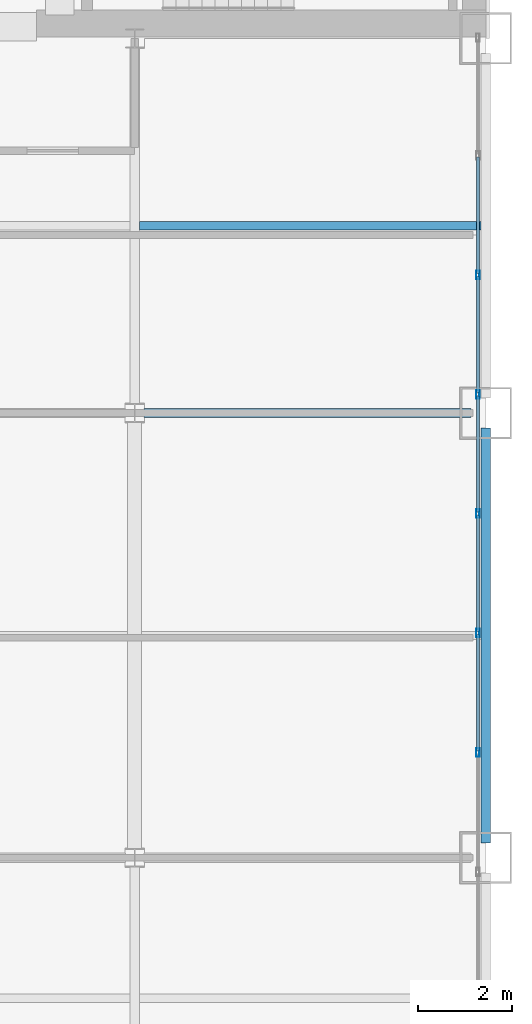
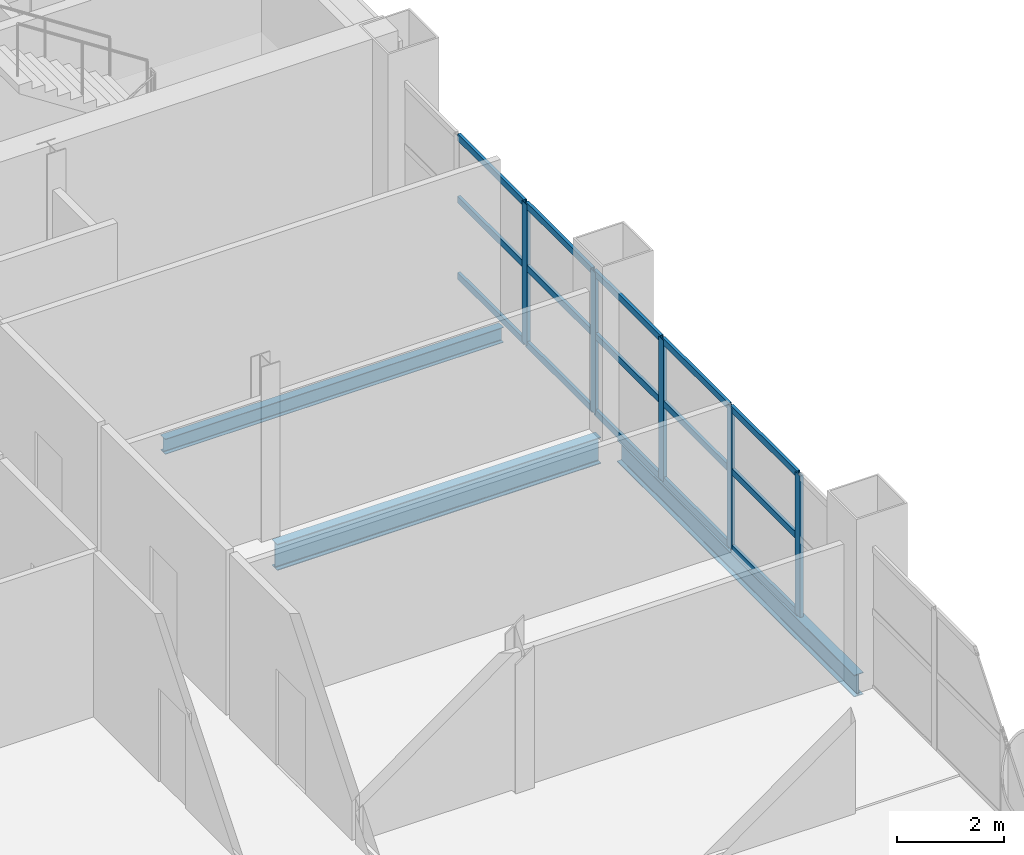
# One storey, part 7 of 16: 20 members, 3 beams, 1 element without a shape of its own.
"""IFC4 building model written with IfcOpenShell, lengths in metres."""

from ifc_helpers import new_model, si_unit, direction, frame, origin, origin_2d, place, context, subcontext, project, spatial, hollow_rectangle, i_section, extrude, material, layer, layer_set, material_profile, profile_set, type_object, element, aggregate, save


model = new_model("IFC4")

# Units and contexts
model_context = context("Model", 3, precision=1e-05, world=origin(), true_north=direction((0.0, 1.0)))
body_context = subcontext(model_context, "Body", "Model", "MODEL_VIEW")
ifc_project = project(units=[si_unit("LENGTHUNIT", "METRE"), si_unit("AREAUNIT", "SQUARE_METRE"), si_unit("VOLUMEUNIT", "CUBIC_METRE"), si_unit("PLANEANGLEUNIT", "RADIAN"), si_unit("MASSUNIT", "GRAM", prefix="KILO")], contexts=[model_context])

# Site, building, storey
site_placement = place(None, origin())
site = spatial("IfcSite", under=ifc_project, at=site_placement, CompositionType="ELEMENT")
building_placement = place(site_placement, origin())
building = spatial("IfcBuilding", under=site, at=building_placement, Name="Qianrong Seaharbour Tower", CompositionType="ELEMENT")
storey_placement = place(building_placement, frame((0.0, 0.0, 127.0)))
storey = spatial("IfcBuildingStorey", under=building, at=storey_placement, Name="L30", CompositionType="ELEMENT", Elevation=127.0)

# Beams
ifc_material_1 = material(Name="Structural steel SN490B", Category="steel")
ifc_material_profile_1 = material_profile(ifc_material_1, i_section(OverallWidth=0.199951171875, OverallDepth=0.60009765625, WebThickness=0.010986328125, FlangeThickness=0.01708984375, FilletRadius=0.02197265625, at=origin_2d()), Name="H600x200x11x17")
ifc_profile_set_1 = profile_set([ifc_material_profile_1], Name="Structural steel SN490B")
beam_type_1 = type_object("IfcBeamType", Name="BM-G-600", PredefinedType="BEAM", material=ifc_profile_set_1)
beam_1_placement = place(storey_placement, frame((56.699951171875, 28.0, -0.534912109375), z_axis=(1.0, 0.0, 0.0), x_axis=(0.0, 1.0, 0.0)))
element("IfcBeam", 1, at=beam_1_placement, inside=storey, type_object=beam_type_1, Name="L30 Primary Girder GE G8-G9", PredefinedType="BEAM", context=body_context, shape_type="SweptSolid", body=[
    extrude(i_section(OverallWidth=0.199951171875, OverallDepth=0.60009765625, WebThickness=0.010986328125, FlangeThickness=0.01708984375, FilletRadius=0.02197265625, at=origin_2d()), origin(), (0.0, 0.0, 1.0), 6.97998046875),
])
ifc_material_2 = material(Name="Structural steel SN400B", Category="steel")
ifc_material_profile_2 = material_profile(ifc_material_2, i_section(OverallWidth=0.175048828125, OverallDepth=0.35009765625, WebThickness=0.007080078125, FlangeThickness=0.010986328125, FilletRadius=0.013916015625, at=origin_2d()), Name="H350x175x7x11")
ifc_profile_set_2 = profile_set([ifc_material_profile_2], Name="Structural steel SN400B")
beam_type_2 = type_object("IfcBeamType", Name="BM-J-350", PredefinedType="JOIST", material=ifc_profile_set_2)
beam_2_placement = place(storey_placement, frame((56.60009765625, 32.0, -0.409912109375), z_axis=(1.0, 0.0, 0.0), x_axis=(0.0, 1.0, 0.0)))
element("IfcBeam", 2, at=beam_2_placement, inside=storey, type_object=beam_type_2, Name="L30 Composite Floor Joist G8-G9/GE-GF", PredefinedType="JOIST", context=body_context, shape_type="SweptSolid", body=[
    extrude(i_section(OverallWidth=0.175048828125, OverallDepth=0.35009765625, WebThickness=0.007080078125, FlangeThickness=0.010986328125, FilletRadius=0.013916015625, at=origin_2d()), origin(), (0.0, 0.0, 1.0), 7.2998046875),
])
ifc_material_profile_3 = material_profile(ifc_material_1, i_section(OverallWidth=0.199951171875, OverallDepth=0.5, WebThickness=0.010009765625, FlangeThickness=0.01611328125, FilletRadius=0.02001953125, at=origin_2d()), Name="H500x200x10x16")
ifc_profile_set_3 = profile_set([ifc_material_profile_3], Name="Structural steel SN490B")
beam_type_3 = type_object("IfcBeamType", Name="BM-SP-500", PredefinedType="SPANDREL", material=ifc_profile_set_3)
beam_3_placement = place(storey_placement, frame((64.0, 18.820068359375, -0.485107421875), z_axis=(0.0, 1.0, 0.0), x_axis=(-1.0, 0.0, 0.0)))
element("IfcBeam", 3, at=beam_3_placement, inside=storey, type_object=beam_type_3, Name="L30 Spandrel Girder G9 GD-GE", PredefinedType="SPANDREL", context=body_context, shape_type="SweptSolid", body=[
    extrude(i_section(OverallWidth=0.199951171875, OverallDepth=0.5, WebThickness=0.010009765625, FlangeThickness=0.01611328125, FilletRadius=0.02001953125, at=origin_2d()), origin(), (0.0, 0.0, 1.0), 8.85986328125),
])

# Curtain wall, members
ifc_material_3 = material(Name="Anodised aluminium 6063-T6 and laminated low-e glass", Category="aluminium")
ifc_layer = layer(ifc_material_3, 0.195068359375)
ifc_layer_set = layer_set([ifc_layer], Name="Anodised aluminium 6063-T6 and laminated low-e glass")
curtain_wall_type = type_object("IfcCurtainWallType", Name="CW-SYS-3", PredefinedType="NOTDEFINED", material=ifc_layer_set)
curtain_wall_placement = place(storey_placement, origin())
curtain_wall = element("IfcCurtainWall", 4, at=curtain_wall_placement, inside=storey, type_object=curtain_wall_type, Name="L30 Sky-Garden Wintergarden Curtain Wall EAST_WING", PredefinedType="NOTDEFINED")
ifc_material_4 = material(Name="Extruded aluminium 6063-T6", Category="aluminium")
ifc_material_profile_4 = material_profile(ifc_material_4, hollow_rectangle(XDim=0.070068359375, YDim=0.179931640625, WallThickness=0.00390625, at=origin_2d()), Name="ALU-MUL-180x70x4")
ifc_profile_set_4 = profile_set([ifc_material_profile_4], Name="Extruded aluminium 6063-T6")
member_type_1 = type_object("IfcMemberType", Name="CW-MUL-180", PredefinedType="MULLION", material=ifc_profile_set_4)
member_1_placement = place(storey_placement, frame((63.830078125, 30.949951171875, 0.0), z_axis=(0.0, 0.0, 1.0), x_axis=(1.0, 0.0, 0.0)))
member_1 = element("IfcMember", 5, at=member_1_placement, type_object=member_type_1, Name="CW-3 mullion 3", PredefinedType="MULLION", context=body_context, shape_type="SweptSolid", body=[
    extrude(hollow_rectangle(XDim=0.070068359375, YDim=0.179931640625, WallThickness=0.00390625, at=origin_2d()), origin(), (0.0, 0.0, 1.0), 3.22509765625),
])
member_2_placement = place(storey_placement, frame((63.830078125, 28.39990234375, 0.0), z_axis=(0.0, 0.0, 1.0), x_axis=(1.0, 0.0, 0.0)))
member_2 = element("IfcMember", 6, at=member_2_placement, type_object=member_type_1, Name="CW-3 mullion 4", PredefinedType="MULLION", context=body_context, shape_type="SweptSolid", body=[
    extrude(hollow_rectangle(XDim=0.070068359375, YDim=0.179931640625, WallThickness=0.00390625, at=origin_2d()), origin(), (0.0, 0.0, 1.0), 3.22509765625),
])
member_3_placement = place(storey_placement, frame((63.830078125, 25.85009765625, 0.0), z_axis=(0.0, 0.0, 1.0), x_axis=(1.0, 0.0, 0.0)))
member_3 = element("IfcMember", 7, at=member_3_placement, type_object=member_type_1, Name="CW-3 mullion 5", PredefinedType="MULLION", context=body_context, shape_type="SweptSolid", body=[
    extrude(hollow_rectangle(XDim=0.070068359375, YDim=0.179931640625, WallThickness=0.00390625, at=origin_2d()), origin(), (0.0, 0.0, 1.0), 3.22509765625),
])
member_4_placement = place(storey_placement, frame((63.830078125, 23.300048828125, 0.0), z_axis=(0.0, 0.0, 1.0), x_axis=(1.0, 0.0, 0.0)))
member_4 = element("IfcMember", 8, at=member_4_placement, type_object=member_type_1, Name="CW-3 mullion 6", PredefinedType="MULLION", context=body_context, shape_type="SweptSolid", body=[
    extrude(hollow_rectangle(XDim=0.070068359375, YDim=0.179931640625, WallThickness=0.00390625, at=origin_2d()), origin(), (0.0, 0.0, 1.0), 3.22509765625),
])
member_5_placement = place(storey_placement, frame((63.830078125, 20.75, 0.0), z_axis=(0.0, 0.0, 1.0), x_axis=(1.0, 0.0, 0.0)))
member_5 = element("IfcMember", 9, at=member_5_placement, type_object=member_type_1, Name="CW-3 mullion 7", PredefinedType="MULLION", context=body_context, shape_type="SweptSolid", body=[
    extrude(hollow_rectangle(XDim=0.070068359375, YDim=0.179931640625, WallThickness=0.00390625, at=origin_2d()), origin(), (0.0, 0.0, 1.0), 3.22509765625),
])
ifc_material_profile_5 = material_profile(ifc_material_4, hollow_rectangle(XDim=0.06494140625, YDim=0.14990234375, WallThickness=0.00390625, at=origin_2d()), Name="ALU-TRN-150x65x4")
ifc_profile_set_5 = profile_set([ifc_material_profile_5], Name="Extruded aluminium 6063-T6")
member_type_2 = type_object("IfcMemberType", Name="CW-TRN-150", PredefinedType="USERDEFINED", material=ifc_profile_set_5)
member_6_placement = place(storey_placement, frame((63.830078125, 33.465087890625, 0.032470703125), z_axis=(0.0, -1.0, 0.0), x_axis=(1.0, 0.0, 0.0)))
member_6 = element("IfcMember", 10, at=member_6_placement, type_object=member_type_2, Name="CW-3 transom 2.1", ObjectType="TRANSOM", PredefinedType="USERDEFINED", context=body_context, shape_type="SweptSolid", body=[
    extrude(hollow_rectangle(XDim=0.06494140625, YDim=0.14990234375, WallThickness=0.00390625, at=origin_2d()), origin(), (0.0, 0.0, 1.0), 2.47998046875),
])
member_7_placement = place(storey_placement, frame((63.830078125, 33.465087890625, 1.773681640625), z_axis=(0.0, -1.0, 0.0), x_axis=(1.0, 0.0, 0.0)))
member_7 = element("IfcMember", 11, at=member_7_placement, type_object=member_type_2, Name="CW-3 transom 2.2", ObjectType="TRANSOM", PredefinedType="USERDEFINED", context=body_context, shape_type="SweptSolid", body=[
    extrude(hollow_rectangle(XDim=0.06494140625, YDim=0.14990234375, WallThickness=0.00390625, at=origin_2d()), origin(), (0.0, 0.0, 1.0), 2.47998046875),
])
member_8_placement = place(storey_placement, frame((63.830078125, 33.465087890625, 3.1923828125), z_axis=(0.0, -1.0, 0.0), x_axis=(1.0, 0.0, 0.0)))
member_8 = element("IfcMember", 12, at=member_8_placement, type_object=member_type_2, Name="CW-3 transom 2.3", ObjectType="TRANSOM", PredefinedType="USERDEFINED", context=body_context, shape_type="SweptSolid", body=[
    extrude(hollow_rectangle(XDim=0.06494140625, YDim=0.14990234375, WallThickness=0.00390625, at=origin_2d()), origin(), (0.0, 0.0, 1.0), 2.47998046875),
])
member_9_placement = place(storey_placement, frame((63.830078125, 30.9150390625, 0.032470703125), z_axis=(0.0, -1.0, 0.0), x_axis=(1.0, 0.0, 0.0)))
member_9 = element("IfcMember", 13, at=member_9_placement, type_object=member_type_2, Name="CW-3 transom 3.1", ObjectType="TRANSOM", PredefinedType="USERDEFINED", context=body_context, shape_type="SweptSolid", body=[
    extrude(hollow_rectangle(XDim=0.06494140625, YDim=0.14990234375, WallThickness=0.00390625, at=origin_2d()), origin(), (0.0, 0.0, 1.0), 2.47998046875),
])
member_10_placement = place(storey_placement, frame((63.830078125, 30.9150390625, 1.773681640625), z_axis=(0.0, -1.0, 0.0), x_axis=(1.0, 0.0, 0.0)))
member_10 = element("IfcMember", 14, at=member_10_placement, type_object=member_type_2, Name="CW-3 transom 3.2", ObjectType="TRANSOM", PredefinedType="USERDEFINED", context=body_context, shape_type="SweptSolid", body=[
    extrude(hollow_rectangle(XDim=0.06494140625, YDim=0.14990234375, WallThickness=0.00390625, at=origin_2d()), origin(), (0.0, 0.0, 1.0), 2.47998046875),
])
member_11_placement = place(storey_placement, frame((63.830078125, 30.9150390625, 3.1923828125), z_axis=(0.0, -1.0, 0.0), x_axis=(1.0, 0.0, 0.0)))
member_11 = element("IfcMember", 15, at=member_11_placement, type_object=member_type_2, Name="CW-3 transom 3.3", ObjectType="TRANSOM", PredefinedType="USERDEFINED", context=body_context, shape_type="SweptSolid", body=[
    extrude(hollow_rectangle(XDim=0.06494140625, YDim=0.14990234375, WallThickness=0.00390625, at=origin_2d()), origin(), (0.0, 0.0, 1.0), 2.47998046875),
])
member_12_placement = place(storey_placement, frame((63.830078125, 28.364990234375, 0.032470703125), z_axis=(0.0, -1.0, 0.0), x_axis=(1.0, 0.0, 0.0)))
member_12 = element("IfcMember", 16, at=member_12_placement, type_object=member_type_2, Name="CW-3 transom 4.1", ObjectType="TRANSOM", PredefinedType="USERDEFINED", context=body_context, shape_type="SweptSolid", body=[
    extrude(hollow_rectangle(XDim=0.06494140625, YDim=0.14990234375, WallThickness=0.00390625, at=origin_2d()), origin(), (0.0, 0.0, 1.0), 2.47998046875),
])
member_13_placement = place(storey_placement, frame((63.830078125, 28.364990234375, 1.773681640625), z_axis=(0.0, -1.0, 0.0), x_axis=(1.0, 0.0, 0.0)))
member_13 = element("IfcMember", 17, at=member_13_placement, type_object=member_type_2, Name="CW-3 transom 4.2", ObjectType="TRANSOM", PredefinedType="USERDEFINED", context=body_context, shape_type="SweptSolid", body=[
    extrude(hollow_rectangle(XDim=0.06494140625, YDim=0.14990234375, WallThickness=0.00390625, at=origin_2d()), origin(), (0.0, 0.0, 1.0), 2.47998046875),
])
member_14_placement = place(storey_placement, frame((63.830078125, 28.364990234375, 3.1923828125), z_axis=(0.0, -1.0, 0.0), x_axis=(1.0, 0.0, 0.0)))
member_14 = element("IfcMember", 18, at=member_14_placement, type_object=member_type_2, Name="CW-3 transom 4.3", ObjectType="TRANSOM", PredefinedType="USERDEFINED", context=body_context, shape_type="SweptSolid", body=[
    extrude(hollow_rectangle(XDim=0.06494140625, YDim=0.14990234375, WallThickness=0.00390625, at=origin_2d()), origin(), (0.0, 0.0, 1.0), 2.47998046875),
])
member_15_placement = place(storey_placement, frame((63.830078125, 25.81494140625, 0.032470703125), z_axis=(0.0, -1.0, 0.0), x_axis=(1.0, 0.0, 0.0)))
member_15 = element("IfcMember", 19, at=member_15_placement, type_object=member_type_2, Name="CW-3 transom 5.1", ObjectType="TRANSOM", PredefinedType="USERDEFINED", context=body_context, shape_type="SweptSolid", body=[
    extrude(hollow_rectangle(XDim=0.06494140625, YDim=0.14990234375, WallThickness=0.00390625, at=origin_2d()), origin(), (0.0, 0.0, 1.0), 2.47998046875),
])
member_16_placement = place(storey_placement, frame((63.830078125, 25.81494140625, 1.773681640625), z_axis=(0.0, -1.0, 0.0), x_axis=(1.0, 0.0, 0.0)))
member_16 = element("IfcMember", 20, at=member_16_placement, type_object=member_type_2, Name="CW-3 transom 5.2", ObjectType="TRANSOM", PredefinedType="USERDEFINED", context=body_context, shape_type="SweptSolid", body=[
    extrude(hollow_rectangle(XDim=0.06494140625, YDim=0.14990234375, WallThickness=0.00390625, at=origin_2d()), origin(), (0.0, 0.0, 1.0), 2.47998046875),
])
member_17_placement = place(storey_placement, frame((63.830078125, 25.81494140625, 3.1923828125), z_axis=(0.0, -1.0, 0.0), x_axis=(1.0, 0.0, 0.0)))
member_17 = element("IfcMember", 21, at=member_17_placement, type_object=member_type_2, Name="CW-3 transom 5.3", ObjectType="TRANSOM", PredefinedType="USERDEFINED", context=body_context, shape_type="SweptSolid", body=[
    extrude(hollow_rectangle(XDim=0.06494140625, YDim=0.14990234375, WallThickness=0.00390625, at=origin_2d()), origin(), (0.0, 0.0, 1.0), 2.47998046875),
])
member_18_placement = place(storey_placement, frame((63.830078125, 23.264892578125, 0.032470703125), z_axis=(0.0, -1.0, 0.0), x_axis=(1.0, 0.0, 0.0)))
member_18 = element("IfcMember", 22, at=member_18_placement, type_object=member_type_2, Name="CW-3 transom 6.1", ObjectType="TRANSOM", PredefinedType="USERDEFINED", context=body_context, shape_type="SweptSolid", body=[
    extrude(hollow_rectangle(XDim=0.06494140625, YDim=0.14990234375, WallThickness=0.00390625, at=origin_2d()), origin(), (0.0, 0.0, 1.0), 2.47998046875),
])
member_19_placement = place(storey_placement, frame((63.830078125, 23.264892578125, 1.773681640625), z_axis=(0.0, -1.0, 0.0), x_axis=(1.0, 0.0, 0.0)))
member_19 = element("IfcMember", 23, at=member_19_placement, type_object=member_type_2, Name="CW-3 transom 6.2", ObjectType="TRANSOM", PredefinedType="USERDEFINED", context=body_context, shape_type="SweptSolid", body=[
    extrude(hollow_rectangle(XDim=0.06494140625, YDim=0.14990234375, WallThickness=0.00390625, at=origin_2d()), origin(), (0.0, 0.0, 1.0), 2.47998046875),
])
member_20_placement = place(storey_placement, frame((63.830078125, 23.264892578125, 3.1923828125), z_axis=(0.0, -1.0, 0.0), x_axis=(1.0, 0.0, 0.0)))
member_20 = element("IfcMember", 24, at=member_20_placement, type_object=member_type_2, Name="CW-3 transom 6.3", ObjectType="TRANSOM", PredefinedType="USERDEFINED", context=body_context, shape_type="SweptSolid", body=[
    extrude(hollow_rectangle(XDim=0.06494140625, YDim=0.14990234375, WallThickness=0.00390625, at=origin_2d()), origin(), (0.0, 0.0, 1.0), 2.47998046875),
])
aggregate(curtain_wall, [member_1, member_2, member_3, member_4, member_5, member_6, member_7, member_8, member_9, member_10, member_11, member_12, member_13, member_14, member_15, member_16, member_17, member_18, member_19, member_20])

save(model, "model.ifc")
